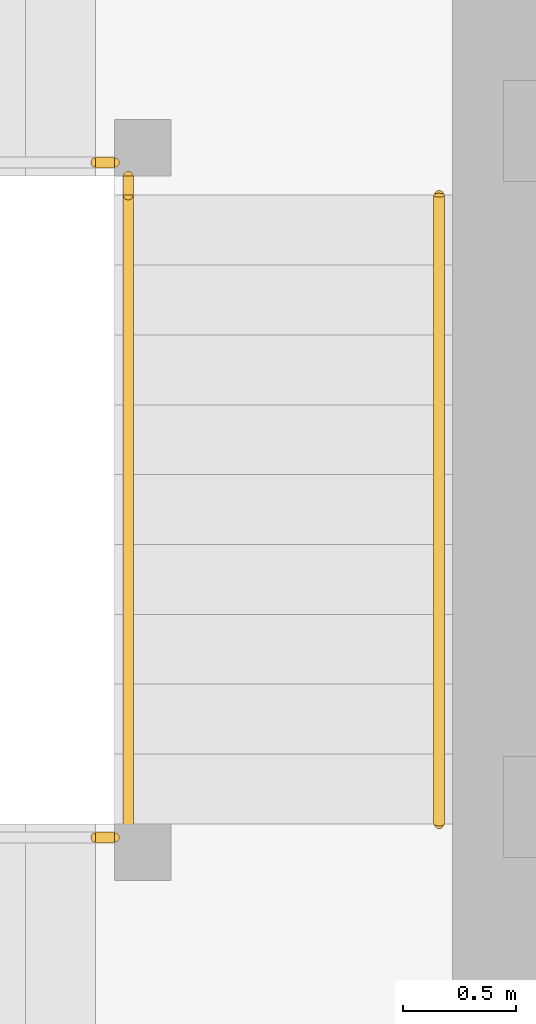
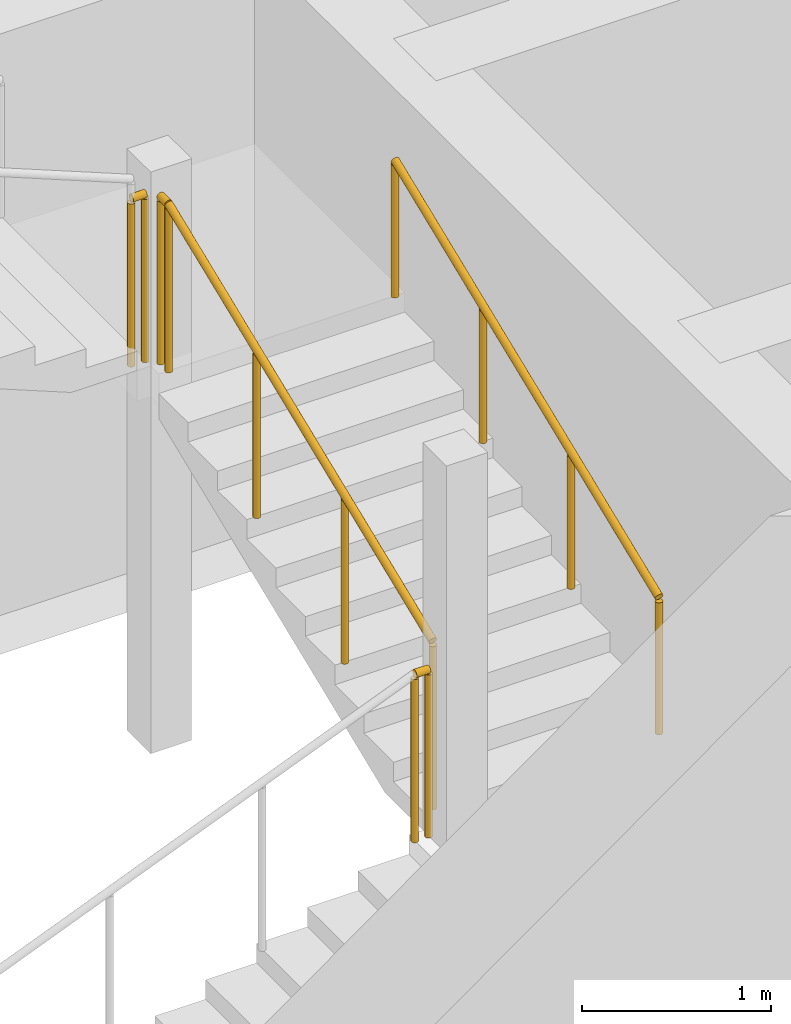
# One storey, part 36 of 40: 5 railings.
"""IFC4 building model written with IfcOpenShell, lengths in metres."""

from ifc_helpers import new_model, si_unit, direction, frame, origin, origin_2d, place, context, subcontext, project, spatial, circle, extrude, material, type_object, element, save


model = new_model("IFC4")

# Units and contexts
model_context = context("Model", 3, precision=1e-05, world=origin(), true_north=direction((0.0, 1.0)))
body_context = subcontext(model_context, "Body", "Model", "MODEL_VIEW")
ifc_project = project(units=[si_unit("LENGTHUNIT", "METRE"), si_unit("AREAUNIT", "SQUARE_METRE"), si_unit("VOLUMEUNIT", "CUBIC_METRE"), si_unit("PLANEANGLEUNIT", "RADIAN"), si_unit("MASSUNIT", "GRAM", prefix="KILO")], contexts=[model_context])

# Site, building, storey
site_placement = place(None, origin())
site = spatial("IfcSite", under=ifc_project, at=site_placement, CompositionType="ELEMENT")
building_placement = place(site_placement, origin())
building = spatial("IfcBuilding", under=site, at=building_placement, Name="Rekha Terrace Tower", CompositionType="ELEMENT")
storey_placement = place(building_placement, frame((0.0, 0.0, 129.050048828125)))
storey = spatial("IfcBuildingStorey", under=building, at=storey_placement, Name="L32", CompositionType="ELEMENT", Elevation=129.050048828125)

# Railings
ifc_material_1 = material(Name="Stainless steel balustrade", Category="steel")
railing_type_1 = type_object("IfcRailingType", Name="GR1 1100 stair guard", PredefinedType="GUARDRAIL", material=ifc_material_1)
railing_1_placement = place(storey_placement, frame((30.135009765625, 41.324951171875, 1.375)))
element("IfcRailing", 1, at=railing_1_placement, inside=storey, type_object=railing_type_1, Name="Guard ST4 L32 flight 2", PredefinedType="GUARDRAIL", context=body_context, shape_type="SweptSolid", body=[
    extrude(circle(Radius=0.02392578125, at=origin_2d()), frame((0.0, 0.0, 1.076171875), z_axis=(0.0, 0.927443287984, 0.373963831907), x_axis=(-1.0, 0.0, 0.0)), (0.0, 0.0, 1.0), 3.00830078125),
    extrude(circle(Radius=0.02099609375, at=origin_2d()), origin(), (0.0, 0.0, 1.0), 1.052001953125),
    extrude(circle(Radius=0.02099609375, at=origin_2d()), frame((0.0, 0.929931640625, 0.375)), (0.0, 0.0, 1.0), 1.052001953125),
    extrude(circle(Radius=0.02099609375, at=origin_2d()), frame((0.0, 1.860107421875, 0.75)), (0.0, 0.0, 1.0), 1.052001953125),
    extrude(circle(Radius=0.02099609375, at=origin_2d()), frame((0.0, 2.7900390625, 1.125)), (0.0, 0.0, 1.0), 1.052001953125),
])
railing_2_placement = place(storey_placement, frame((29.989990234375, 41.264892578125, 1.25)))
element("IfcRailing", 2, at=railing_2_placement, inside=storey, type_object=railing_type_1, Name="Guard ST4 L32 landing 1", PredefinedType="GUARDRAIL", context=body_context, shape_type="SweptSolid", body=[
    extrude(circle(Radius=0.02392578125, at=origin_2d()), frame((0.0, 0.0, 1.076171875), z_axis=(1.0, 0.0, 0.0), x_axis=(0.0, 1.0, 0.0)), (0.0, 0.0, 1.0), 0.0849609375),
    extrude(circle(Radius=0.02099609375, at=origin_2d()), origin(), (0.0, 0.0, 1.0), 1.052001953125),
    extrude(circle(Radius=0.02099609375, at=origin_2d()), frame((0.0849609375, 0.0, 0.0)), (0.0, 0.0, 1.0), 1.052001953125),
])
railing_3_placement = place(storey_placement, frame((30.135009765625, 44.114990234375, 2.5)))
element("IfcRailing", 3, at=railing_3_placement, inside=storey, type_object=railing_type_1, Name="Guard ST4 L32 landing 2", PredefinedType="GUARDRAIL", context=body_context, shape_type="SweptSolid", body=[
    extrude(circle(Radius=0.02392578125, at=origin_2d()), frame((0.0, 0.0, 1.076171875), z_axis=(0.0, 1.0, 0.0), x_axis=(-1.0, 0.0, 0.0)), (0.0, 0.0, 1.0), 0.0849609375),
    extrude(circle(Radius=0.02099609375, at=origin_2d()), origin(), (0.0, 0.0, 1.0), 1.052001953125),
    extrude(circle(Radius=0.02099609375, at=origin_2d()), frame((0.0, 0.0849609375, 0.0)), (0.0, 0.0, 1.0), 1.052001953125),
])
railing_4_placement = place(storey_placement, frame((29.989990234375, 44.260009765625, 2.5)))
element("IfcRailing", 4, at=railing_4_placement, inside=storey, type_object=railing_type_1, Name="Guard ST4 L32 landing 3", PredefinedType="GUARDRAIL", context=body_context, shape_type="SweptSolid", body=[
    extrude(circle(Radius=0.02392578125, at=origin_2d()), frame((0.0, 0.0, 1.076171875), z_axis=(1.0, 0.0, 0.0), x_axis=(0.0, 1.0, 0.0)), (0.0, 0.0, 1.0), 0.0849609375),
    extrude(circle(Radius=0.02099609375, at=origin_2d()), origin(), (0.0, 0.0, 1.0), 1.052001953125),
    extrude(circle(Radius=0.02099609375, at=origin_2d()), frame((0.0849609375, 0.0, 0.0)), (0.0, 0.0, 1.0), 1.052001953125),
])
ifc_material_2 = material(Name="Stainless steel tube", Category="steel")
railing_type_2 = type_object("IfcRailingType", Name="HR1 900 stair handrail", PredefinedType="HANDRAIL", material=ifc_material_2)
railing_5_placement = place(storey_placement, frame((31.514892578125, 41.324951171875, 1.375)))
element("IfcRailing", 5, at=railing_5_placement, inside=storey, type_object=railing_type_2, Name="Handrail ST4 L32 flight 2", PredefinedType="HANDRAIL", context=body_context, shape_type="SweptSolid", body=[
    extrude(circle(Radius=0.02392578125, at=origin_2d()), frame((0.0, 0.0, 0.8759765625), z_axis=(0.0, 0.927443287984, 0.373963831907), x_axis=(-1.0, 0.0, 0.0)), (0.0, 0.0, 1.0), 3.00830078125),
    extrude(circle(Radius=0.02099609375, at=origin_2d()), origin(), (0.0, 0.0, 1.0), 0.851806640625),
    extrude(circle(Radius=0.02099609375, at=origin_2d()), frame((0.0, 0.929931640625, 0.375)), (0.0, 0.0, 1.0), 0.851806640625),
    extrude(circle(Radius=0.02099609375, at=origin_2d()), frame((0.0, 1.860107421875, 0.75)), (0.0, 0.0, 1.0), 0.851806640625),
    extrude(circle(Radius=0.02099609375, at=origin_2d()), frame((0.0, 2.7900390625, 1.125)), (0.0, 0.0, 1.0), 0.851806640625),
])

save(model, "model.ifc")
